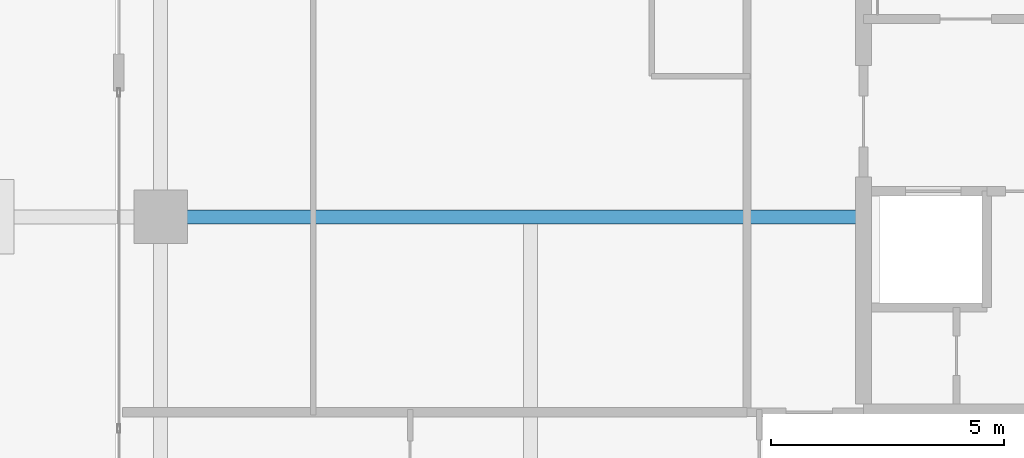
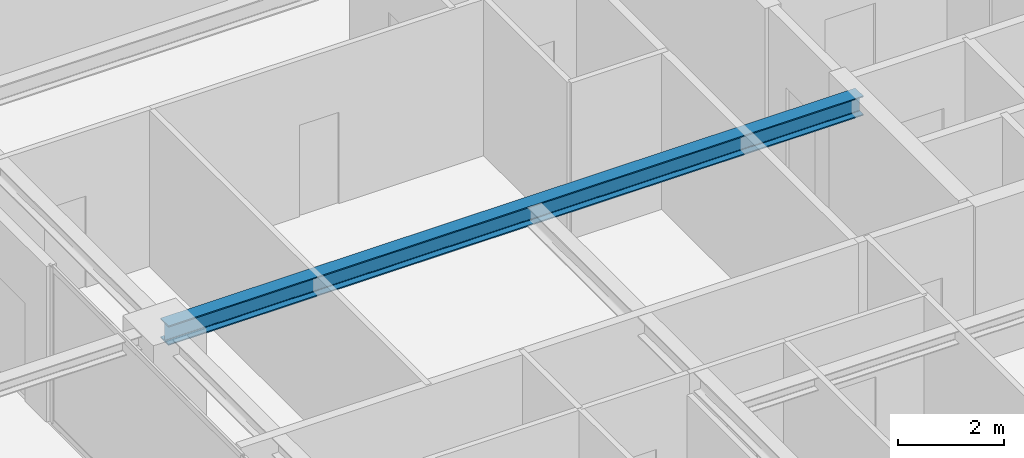
# One storey, part 8 of 37: 1 beam.
"""IFC4 building model written with IfcOpenShell, lengths in metres."""

from ifc_helpers import new_model, si_unit, direction, frame, origin, origin_2d, place, context, subcontext, project, spatial, i_section, extrude, source, transform, mapped, material, material_profile, profile_set, type_object, element, save


model = new_model("IFC4")

# Units and contexts
model_context = context("Model", 3, precision=1e-05, world=origin(), true_north=direction((0.0, 1.0)))
body_context = subcontext(model_context, "Body", "Model", "MODEL_VIEW")
ifc_project = project(units=[si_unit("LENGTHUNIT", "METRE"), si_unit("AREAUNIT", "SQUARE_METRE"), si_unit("VOLUMEUNIT", "CUBIC_METRE"), si_unit("PLANEANGLEUNIT", "RADIAN"), si_unit("MASSUNIT", "GRAM", prefix="KILO")], contexts=[model_context])

# Site, building, storey
site_placement = place(None, origin())
site = spatial("IfcSite", under=ifc_project, at=site_placement, CompositionType="ELEMENT")
building_placement = place(site_placement, origin())
building = spatial("IfcBuilding", under=site, at=building_placement, Name="Serunith Strait Residences", CompositionType="ELEMENT")
storey_placement = place(building_placement, frame((0.0, 0.0, 218.14990234375)))
storey = spatial("IfcBuildingStorey", under=building, at=storey_placement, Name="L54", CompositionType="ELEMENT", Elevation=218.14990234375)

# Beam
ifc_material = material(Name="Steel S355J2", Category="steel")
ifc_material_profile = material_profile(ifc_material, i_section(OverallWidth=0.300048828125, OverallDepth=0.449951171875, WebThickness=0.013916015625, FlangeThickness=0.02587890625, FilletRadius=0.027099609375, at=origin_2d()), Name="HEB 450")
ifc_profile_set = profile_set([ifc_material_profile], Name="Steel S355J2")
beam_type = type_object("IfcBeamType", Name="BM-HEB450", PredefinedType="BEAM", material=ifc_profile_set)
shared_shape = source(origin(), body_context, "Body", "SweptSolid", [
    extrude(i_section(OverallWidth=0.300048828125, OverallDepth=0.449951171875, WebThickness=0.013916015625, FlangeThickness=0.02587890625, FilletRadius=0.027099609375, at=origin_2d()), origin(), (0.0, 0.0, 1.0), 15.099853515625),
])
beam_placement = place(storey_placement, frame((23.39990234375, 21.0, 3.362060546875), z_axis=(-1.0, 0.0, 0.0), x_axis=(0.0, -1.0, 0.0)))
element("IfcBeam", 1, at=beam_placement, inside=storey, type_object=beam_type, Name="L54 Primary Floor Girder TC-W2", PredefinedType="BEAM", context=body_context, shape_type="MappedRepresentation", body=[
    mapped(shared_shape, transform((0.0, 0.0, 0.0), scale=1.0)),
])

save(model, "model.ifc")
